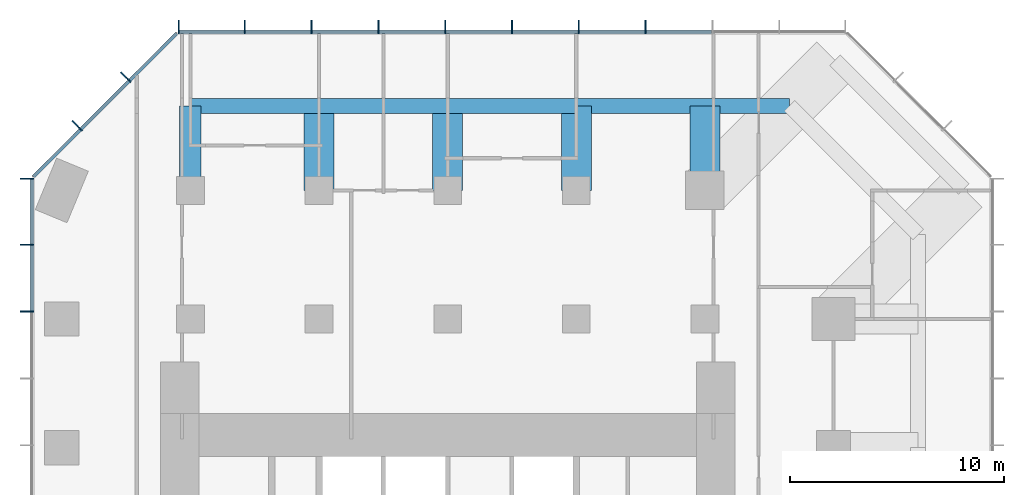
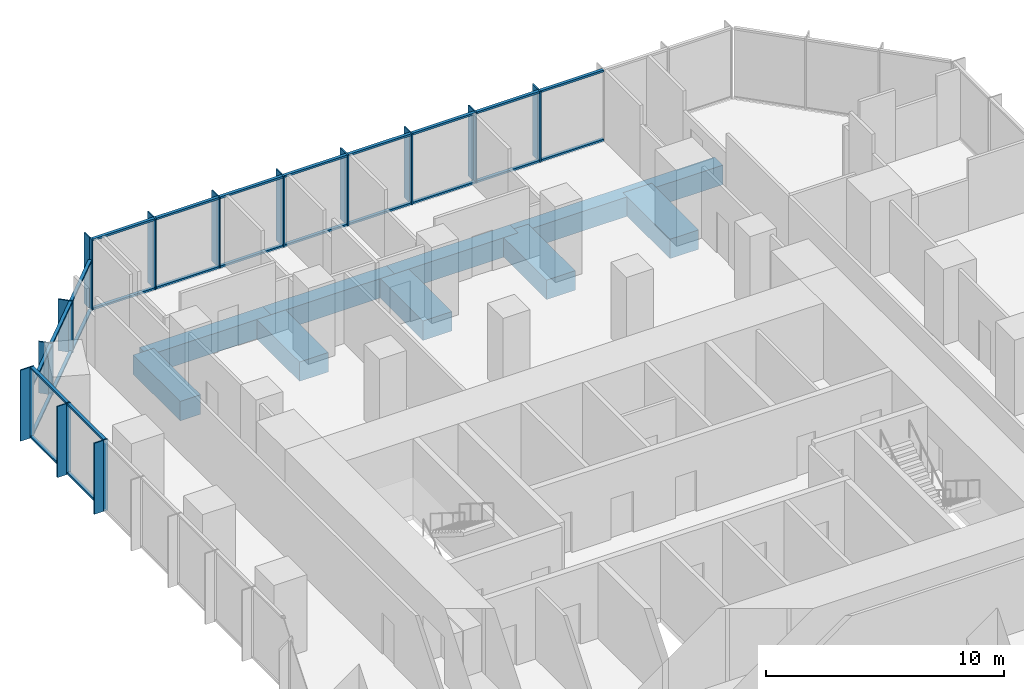
# One storey, part 5 of 11: 52 members, 9 beams, 3 elements without a shape of their own.
"""IFC4 building model written with IfcOpenShell, lengths in metres."""

from ifc_helpers import new_model, si_unit, direction, frame, origin, origin_2d, place, context, subcontext, project, spatial, rectangle, extrude, material, layer, layer_set, material_profile, profile_set, type_object, element, aggregate, save


model = new_model("IFC4")

# Units and contexts
model_context = context("Model", 3, precision=1e-05, world=origin(), true_north=direction((0.0, 1.0)))
body_context = subcontext(model_context, "Body", "Model", "MODEL_VIEW")
ifc_project = project(units=[si_unit("LENGTHUNIT", "METRE"), si_unit("AREAUNIT", "SQUARE_METRE"), si_unit("VOLUMEUNIT", "CUBIC_METRE"), si_unit("PLANEANGLEUNIT", "RADIAN"), si_unit("MASSUNIT", "GRAM", prefix="KILO")], contexts=[model_context])

# Site, building, storey
site_placement = place(None, origin())
site = spatial("IfcSite", under=ifc_project, at=site_placement, CompositionType="ELEMENT")
building_placement = place(site_placement, origin())
building = spatial("IfcBuilding", under=site, at=building_placement, Name="Highveld Stack Headquarters", CompositionType="ELEMENT")
storey_placement = place(building_placement, frame((0.0, 0.0, 185.0)))
storey = spatial("IfcBuildingStorey", under=building, at=storey_placement, Name="L45", CompositionType="ELEMENT", Elevation=185.0)

# Beams
ifc_material_1 = material(Name="Concrete C60/75", Category="concrete")
ifc_material_profile_1 = material_profile(ifc_material_1, rectangle(XDim=1.0, YDim=1.0, at=origin_2d()), Name="RC 1000x1000")
ifc_profile_set_1 = profile_set([ifc_material_profile_1], Name="Concrete C60/75")
beam_type_1 = type_object("IfcBeamType", Name="CANTILEVER RIB RC 1000x1000", PredefinedType="USERDEFINED", material=ifc_profile_set_1)
beam_1_placement = place(storey_placement, frame((-6.0, 24.0, -0.75), z_axis=(0.0, 1.0, 0.0), x_axis=(-1.0, 0.0, 0.0)))
element("IfcBeam", 1, at=beam_1_placement, inside=storey, type_object=beam_type_1, Name="Cantilever rib 5/J L45", ObjectType="CANTILEVER RIB", PredefinedType="USERDEFINED", context=body_context, shape_type="SweptSolid", body=[
    extrude(rectangle(XDim=1.0, YDim=1.0, at=origin_2d()), origin(), (0.0, 0.0, 1.0), 3.949951171875),
])
ifc_material_2 = material(Name="Concrete C60/75", Category="concrete")
ifc_material_profile_2 = material_profile(ifc_material_2, rectangle(XDim=1.39990234375, YDim=1.0, at=origin_2d()), Name="RC 1400x1000")
ifc_profile_set_2 = profile_set([ifc_material_profile_2], Name="Concrete C60/75")
beam_type_2 = type_object("IfcBeamType", Name="CANTILEVER RIB RC 1400x1000", PredefinedType="USERDEFINED", material=ifc_profile_set_2)
for number, where, z_axis, x_axis, name in (
    (2, (0.0, 24.0, -0.75), (0.0, 1.0, 0.0), (-1.0, 0.0, 0.0), "Cantilever rib 6/J L45"),
    (3, (6.0, 24.0, -0.75), (0.0, 1.0, 0.0), (-1.0, 0.0, 0.0), "Cantilever rib 7/J L45"),
    (4, (12.0, 24.0, -0.75), (0.0, 1.0, 0.0), (-1.0, 0.0, 0.0), "Cantilever rib 8/J L45"),
    (5, (18.0, 24.0, -0.75), (0.0, 1.0, 0.0), (-1.0, 0.0, 0.0), "Cantilever rib 9/J L45"),
):
    element("IfcBeam", number, at=place(storey_placement, frame(where, z_axis=z_axis, x_axis=x_axis)), inside=storey, type_object=beam_type_2, Name=name, ObjectType="CANTILEVER RIB", PredefinedType="USERDEFINED", context=body_context, shape_type="SweptSolid", body=[
        extrude(rectangle(XDim=1.39990234375, YDim=1.0, at=origin_2d()), origin(), (0.0, 0.0, 1.0), 3.949951171875),
    ])

# Curtain wall, members
ifc_material_3 = material(Name="Aluminium bronze anodised", Category="aluminium")
ifc_layer_1 = layer(ifc_material_3, 0.199951171875)
ifc_layer_set_1 = layer_set([ifc_layer_1], Name="Aluminium bronze anodised")
curtain_wall_type_1 = type_object("IfcCurtainWallType", Name="CW1 TOWER UNITISED CURTAIN WALL", PredefinedType="NOTDEFINED", material=ifc_layer_set_1)
curtain_wall_1_placement = place(storey_placement, origin())
curtain_wall_1 = element("IfcCurtainWall", 6, at=curtain_wall_1_placement, inside=storey, type_object=curtain_wall_type_1, Name="Curtain wall CW1 L45 N", PredefinedType="NOTDEFINED")
ifc_material_4 = material(Name="Aluminium bronze anodised", Category="aluminium")
ifc_material_profile_3 = material_profile(ifc_material_4, rectangle(XDim=0.449951171875, YDim=0.06005859375, at=origin_2d()), Name="FIN 450x60")
ifc_profile_set_3 = profile_set([ifc_material_profile_3], Name="Aluminium bronze anodised")
member_type_1 = type_object("IfcMemberType", Name="CW1 BRONZE FIN 450x60", PredefinedType="USERDEFINED", material=ifc_profile_set_3)
member_1_placement = place(storey_placement, frame((15.23193359375, 31.72509765625, 0.0), z_axis=(0.0, 0.0, 1.0), x_axis=(0.0, -1.0, 0.0)))
member_1 = element("IfcMember", 7, at=member_1_placement, type_object=member_type_1, Name="CW1 fin L45 4", ObjectType="FIN", PredefinedType="USERDEFINED", context=body_context, shape_type="SweptSolid", body=[
    extrude(rectangle(XDim=0.449951171875, YDim=0.06005859375, at=origin_2d()), origin(), (0.0, 0.0, 1.0), 3.64990234375),
])
member_2_placement = place(storey_placement, frame((12.115966796875, 31.72509765625, 0.0), z_axis=(0.0, 0.0, 1.0), x_axis=(0.0, -1.0, 0.0)))
member_2 = element("IfcMember", 8, at=member_2_placement, type_object=member_type_1, Name="CW1 fin L45 5", ObjectType="FIN", PredefinedType="USERDEFINED", context=body_context, shape_type="SweptSolid", body=[
    extrude(rectangle(XDim=0.449951171875, YDim=0.06005859375, at=origin_2d()), origin(), (0.0, 0.0, 1.0), 3.64990234375),
])
member_3_placement = place(storey_placement, frame((9.0, 31.72509765625, 0.0), z_axis=(0.0, 0.0, 1.0), x_axis=(0.0, -1.0, 0.0)))
member_3 = element("IfcMember", 9, at=member_3_placement, type_object=member_type_1, Name="CW1 fin L45 6", ObjectType="FIN", PredefinedType="USERDEFINED", context=body_context, shape_type="SweptSolid", body=[
    extrude(rectangle(XDim=0.449951171875, YDim=0.06005859375, at=origin_2d()), origin(), (0.0, 0.0, 1.0), 3.64990234375),
])
member_4_placement = place(storey_placement, frame((5.884033203125, 31.72509765625, 0.0), z_axis=(0.0, 0.0, 1.0), x_axis=(0.0, -1.0, 0.0)))
member_4 = element("IfcMember", 10, at=member_4_placement, type_object=member_type_1, Name="CW1 fin L45 7", ObjectType="FIN", PredefinedType="USERDEFINED", context=body_context, shape_type="SweptSolid", body=[
    extrude(rectangle(XDim=0.449951171875, YDim=0.06005859375, at=origin_2d()), origin(), (0.0, 0.0, 1.0), 3.64990234375),
])
member_5_placement = place(storey_placement, frame((2.76806640625, 31.72509765625, 0.0), z_axis=(0.0, 0.0, 1.0), x_axis=(0.0, -1.0, 0.0)))
member_5 = element("IfcMember", 11, at=member_5_placement, type_object=member_type_1, Name="CW1 fin L45 8", ObjectType="FIN", PredefinedType="USERDEFINED", context=body_context, shape_type="SweptSolid", body=[
    extrude(rectangle(XDim=0.449951171875, YDim=0.06005859375, at=origin_2d()), origin(), (0.0, 0.0, 1.0), 3.64990234375),
])
member_6_placement = place(storey_placement, frame((-0.347900390625, 31.72509765625, 0.0), z_axis=(0.0, 0.0, 1.0), x_axis=(0.0, -1.0, 0.0)))
member_6 = element("IfcMember", 12, at=member_6_placement, type_object=member_type_1, Name="CW1 fin L45 9", ObjectType="FIN", PredefinedType="USERDEFINED", context=body_context, shape_type="SweptSolid", body=[
    extrude(rectangle(XDim=0.449951171875, YDim=0.06005859375, at=origin_2d()), origin(), (0.0, 0.0, 1.0), 3.64990234375),
])
member_7_placement = place(storey_placement, frame((-3.4638671875, 31.72509765625, 0.0), z_axis=(0.0, 0.0, 1.0), x_axis=(0.0, -1.0, 0.0)))
member_7 = element("IfcMember", 13, at=member_7_placement, type_object=member_type_1, Name="CW1 fin L45 10", ObjectType="FIN", PredefinedType="USERDEFINED", context=body_context, shape_type="SweptSolid", body=[
    extrude(rectangle(XDim=0.449951171875, YDim=0.06005859375, at=origin_2d()), origin(), (0.0, 0.0, 1.0), 3.64990234375),
])
member_8_placement = place(storey_placement, frame((-6.54736328125, 31.72509765625, 0.0), z_axis=(0.0, 0.0, 1.0), x_axis=(0.0, -1.0, 0.0)))
member_8 = element("IfcMember", 14, at=member_8_placement, type_object=member_type_1, Name="CW1 fin L45 11", ObjectType="FIN", PredefinedType="USERDEFINED", context=body_context, shape_type="SweptSolid", body=[
    extrude(rectangle(XDim=0.449951171875, YDim=0.06005859375, at=origin_2d()), origin(), (0.0, 0.0, 1.0), 3.64990234375),
])

curtain_wall_2_placement = place(storey_placement, origin())
curtain_wall_2 = element("IfcCurtainWall", 15, at=curtain_wall_2_placement, inside=storey, type_object=curtain_wall_type_1, Name="Curtain wall CW1 L45 W", PredefinedType="NOTDEFINED")
member_9_placement = place(storey_placement, frame((-13.72509765625, 24.54736328125, 0.0), z_axis=(0.0, 0.0, 1.0), x_axis=(1.0, 0.0, 0.0)))
member_9 = element("IfcMember", 16, at=member_9_placement, type_object=member_type_1, Name="CW1 fin L45 1", ObjectType="FIN", PredefinedType="USERDEFINED", context=body_context, shape_type="SweptSolid", body=[
    extrude(rectangle(XDim=0.449951171875, YDim=0.06005859375, at=origin_2d()), origin(), (0.0, 0.0, 1.0), 3.64990234375),
])
member_10_placement = place(storey_placement, frame((-13.72509765625, 21.4638671875, 0.0), z_axis=(0.0, 0.0, 1.0), x_axis=(1.0, 0.0, 0.0)))
member_10 = element("IfcMember", 17, at=member_10_placement, type_object=member_type_1, Name="CW1 fin L45 2", ObjectType="FIN", PredefinedType="USERDEFINED", context=body_context, shape_type="SweptSolid", body=[
    extrude(rectangle(XDim=0.449951171875, YDim=0.06005859375, at=origin_2d()), origin(), (0.0, 0.0, 1.0), 3.64990234375),
])
member_11_placement = place(storey_placement, frame((-13.72509765625, 18.347900390625, 0.0), z_axis=(0.0, 0.0, 1.0), x_axis=(1.0, 0.0, 0.0)))
member_11 = element("IfcMember", 18, at=member_11_placement, type_object=member_type_1, Name="CW1 fin L45 3", ObjectType="FIN", PredefinedType="USERDEFINED", context=body_context, shape_type="SweptSolid", body=[
    extrude(rectangle(XDim=0.449951171875, YDim=0.06005859375, at=origin_2d()), origin(), (0.0, 0.0, 1.0), 3.64990234375),
])

# Member
ifc_material_5 = material(Name="Aluminium bronze anodised", Category="aluminium")
ifc_material_profile_4 = material_profile(ifc_material_5, rectangle(XDim=0.199951171875, YDim=0.06494140625, at=origin_2d()), Name="CW1 MULLION 65x200")
ifc_profile_set_4 = profile_set([ifc_material_profile_4], Name="Aluminium bronze anodised")
member_type_2 = type_object("IfcMemberType", Name="CW1 MULLION 65x200", PredefinedType="MULLION", material=ifc_profile_set_4)
member_12_placement = place(storey_placement, frame((15.23193359375, 31.39990234375, 0.0), z_axis=(0.0, 0.0, 1.0), x_axis=(0.0, -1.0, 0.0)))
member_12 = element("IfcMember", 19, at=member_12_placement, type_object=member_type_2, Name="CW1 mullion L45 4", PredefinedType="MULLION", context=body_context, shape_type="SweptSolid", body=[
    extrude(rectangle(XDim=0.199951171875, YDim=0.06494140625, at=origin_2d()), origin(), (0.0, 0.0, 1.0), 3.64990234375),
])

member_13_placement = place(storey_placement, frame((12.115966796875, 31.39990234375, 0.0), z_axis=(0.0, 0.0, 1.0), x_axis=(0.0, -1.0, 0.0)))
member_13 = element("IfcMember", 20, at=member_13_placement, type_object=member_type_2, Name="CW1 mullion L45 5", PredefinedType="MULLION", context=body_context, shape_type="SweptSolid", body=[
    extrude(rectangle(XDim=0.199951171875, YDim=0.06494140625, at=origin_2d()), origin(), (0.0, 0.0, 1.0), 3.64990234375),
])

member_14_placement = place(storey_placement, frame((9.0, 31.39990234375, 0.0), z_axis=(0.0, 0.0, 1.0), x_axis=(0.0, -1.0, 0.0)))
member_14 = element("IfcMember", 21, at=member_14_placement, type_object=member_type_2, Name="CW1 mullion L45 6", PredefinedType="MULLION", context=body_context, shape_type="SweptSolid", body=[
    extrude(rectangle(XDim=0.199951171875, YDim=0.06494140625, at=origin_2d()), origin(), (0.0, 0.0, 1.0), 3.64990234375),
])

member_15_placement = place(storey_placement, frame((5.884033203125, 31.39990234375, 0.0), z_axis=(0.0, 0.0, 1.0), x_axis=(0.0, -1.0, 0.0)))
member_15 = element("IfcMember", 22, at=member_15_placement, type_object=member_type_2, Name="CW1 mullion L45 7", PredefinedType="MULLION", context=body_context, shape_type="SweptSolid", body=[
    extrude(rectangle(XDim=0.199951171875, YDim=0.06494140625, at=origin_2d()), origin(), (0.0, 0.0, 1.0), 3.64990234375),
])

member_16_placement = place(storey_placement, frame((2.76806640625, 31.39990234375, 0.0), z_axis=(0.0, 0.0, 1.0), x_axis=(0.0, -1.0, 0.0)))
member_16 = element("IfcMember", 23, at=member_16_placement, type_object=member_type_2, Name="CW1 mullion L45 8", PredefinedType="MULLION", context=body_context, shape_type="SweptSolid", body=[
    extrude(rectangle(XDim=0.199951171875, YDim=0.06494140625, at=origin_2d()), origin(), (0.0, 0.0, 1.0), 3.64990234375),
])

member_17_placement = place(storey_placement, frame((-0.347900390625, 31.39990234375, 0.0), z_axis=(0.0, 0.0, 1.0), x_axis=(0.0, -1.0, 0.0)))
member_17 = element("IfcMember", 24, at=member_17_placement, type_object=member_type_2, Name="CW1 mullion L45 9", PredefinedType="MULLION", context=body_context, shape_type="SweptSolid", body=[
    extrude(rectangle(XDim=0.199951171875, YDim=0.06494140625, at=origin_2d()), origin(), (0.0, 0.0, 1.0), 3.64990234375),
])

member_18_placement = place(storey_placement, frame((-3.4638671875, 31.39990234375, 0.0), z_axis=(0.0, 0.0, 1.0), x_axis=(0.0, -1.0, 0.0)))
member_18 = element("IfcMember", 25, at=member_18_placement, type_object=member_type_2, Name="CW1 mullion L45 10", PredefinedType="MULLION", context=body_context, shape_type="SweptSolid", body=[
    extrude(rectangle(XDim=0.199951171875, YDim=0.06494140625, at=origin_2d()), origin(), (0.0, 0.0, 1.0), 3.64990234375),
])

member_19_placement = place(storey_placement, frame((-6.54736328125, 31.39990234375, 0.0), z_axis=(0.0, 0.0, 1.0), x_axis=(0.0, -1.0, 0.0)))
member_19 = element("IfcMember", 26, at=member_19_placement, type_object=member_type_2, Name="CW1 mullion L45 11", PredefinedType="MULLION", context=body_context, shape_type="SweptSolid", body=[
    extrude(rectangle(XDim=0.199951171875, YDim=0.06494140625, at=origin_2d()), origin(), (0.0, 0.0, 1.0), 3.64990234375),
])

member_20_placement = place(storey_placement, frame((-13.39990234375, 24.54736328125, 0.0), z_axis=(0.0, 0.0, 1.0), x_axis=(1.0, 0.0, 0.0)))
member_20 = element("IfcMember", 27, at=member_20_placement, type_object=member_type_2, Name="CW1 mullion L45 1", PredefinedType="MULLION", context=body_context, shape_type="SweptSolid", body=[
    extrude(rectangle(XDim=0.199951171875, YDim=0.06494140625, at=origin_2d()), origin(), (0.0, 0.0, 1.0), 3.64990234375),
])

member_21_placement = place(storey_placement, frame((-13.39990234375, 21.4638671875, 0.0), z_axis=(0.0, 0.0, 1.0), x_axis=(1.0, 0.0, 0.0)))
member_21 = element("IfcMember", 28, at=member_21_placement, type_object=member_type_2, Name="CW1 mullion L45 2", PredefinedType="MULLION", context=body_context, shape_type="SweptSolid", body=[
    extrude(rectangle(XDim=0.199951171875, YDim=0.06494140625, at=origin_2d()), origin(), (0.0, 0.0, 1.0), 3.64990234375),
])

member_22_placement = place(storey_placement, frame((-13.39990234375, 18.347900390625, 0.0), z_axis=(0.0, 0.0, 1.0), x_axis=(1.0, 0.0, 0.0)))
member_22 = element("IfcMember", 29, at=member_22_placement, type_object=member_type_2, Name="CW1 mullion L45 3", PredefinedType="MULLION", context=body_context, shape_type="SweptSolid", body=[
    extrude(rectangle(XDim=0.199951171875, YDim=0.06494140625, at=origin_2d()), origin(), (0.0, 0.0, 1.0), 3.64990234375),
])

ifc_material_6 = material(Name="Aluminium bronze anodised", Category="aluminium")
ifc_material_profile_5 = material_profile(ifc_material_6, rectangle(XDim=0.14990234375, YDim=0.10009765625, at=origin_2d()), Name="CW1 TRANSOM 150x100")
ifc_profile_set_5 = profile_set([ifc_material_profile_5], Name="Aluminium bronze anodised")
member_type_3 = type_object("IfcMemberType", Name="CW1 STACK TRANSOM 150x100", PredefinedType="USERDEFINED", material=ifc_profile_set_5)
member_23_placement = place(storey_placement, frame((18.3154296875, 31.39990234375, 0.050048828125), z_axis=(-1.0, 0.0, 0.0), x_axis=(0.0, -1.0, 0.0)))
member_23 = element("IfcMember", 30, at=member_23_placement, type_object=member_type_3, Name="CW1 transom L45 3.1", ObjectType="TRANSOM", PredefinedType="USERDEFINED", context=body_context, shape_type="SweptSolid", body=[
    extrude(rectangle(XDim=0.14990234375, YDim=0.10009765625, at=origin_2d()), origin(), (0.0, 0.0, 1.0), 3.051025390625),
])

member_24_placement = place(storey_placement, frame((18.3154296875, 31.39990234375, 3.60009765625), z_axis=(-1.0, 0.0, 0.0), x_axis=(0.0, -1.0, 0.0)))
member_24 = element("IfcMember", 31, at=member_24_placement, type_object=member_type_3, Name="CW1 transom L45 3.2", ObjectType="TRANSOM", PredefinedType="USERDEFINED", context=body_context, shape_type="SweptSolid", body=[
    extrude(rectangle(XDim=0.14990234375, YDim=0.10009765625, at=origin_2d()), origin(), (0.0, 0.0, 1.0), 3.051025390625),
])

member_25_placement = place(storey_placement, frame((15.199462890625, 31.39990234375, 0.050048828125), z_axis=(-1.0, 0.0, 0.0), x_axis=(0.0, -1.0, 0.0)))
member_25 = element("IfcMember", 32, at=member_25_placement, type_object=member_type_3, Name="CW1 transom L45 4.1", ObjectType="TRANSOM", PredefinedType="USERDEFINED", context=body_context, shape_type="SweptSolid", body=[
    extrude(rectangle(XDim=0.14990234375, YDim=0.10009765625, at=origin_2d()), origin(), (0.0, 0.0, 1.0), 3.051025390625),
])

member_26_placement = place(storey_placement, frame((15.199462890625, 31.39990234375, 3.60009765625), z_axis=(-1.0, 0.0, 0.0), x_axis=(0.0, -1.0, 0.0)))
member_26 = element("IfcMember", 33, at=member_26_placement, type_object=member_type_3, Name="CW1 transom L45 4.2", ObjectType="TRANSOM", PredefinedType="USERDEFINED", context=body_context, shape_type="SweptSolid", body=[
    extrude(rectangle(XDim=0.14990234375, YDim=0.10009765625, at=origin_2d()), origin(), (0.0, 0.0, 1.0), 3.051025390625),
])

member_27_placement = place(storey_placement, frame((12.08349609375, 31.39990234375, 0.050048828125), z_axis=(-1.0, 0.0, 0.0), x_axis=(0.0, -1.0, 0.0)))
member_27 = element("IfcMember", 34, at=member_27_placement, type_object=member_type_3, Name="CW1 transom L45 5.1", ObjectType="TRANSOM", PredefinedType="USERDEFINED", context=body_context, shape_type="SweptSolid", body=[
    extrude(rectangle(XDim=0.14990234375, YDim=0.10009765625, at=origin_2d()), origin(), (0.0, 0.0, 1.0), 3.051025390625),
])

member_28_placement = place(storey_placement, frame((12.08349609375, 31.39990234375, 3.60009765625), z_axis=(-1.0, 0.0, 0.0), x_axis=(0.0, -1.0, 0.0)))
member_28 = element("IfcMember", 35, at=member_28_placement, type_object=member_type_3, Name="CW1 transom L45 5.2", ObjectType="TRANSOM", PredefinedType="USERDEFINED", context=body_context, shape_type="SweptSolid", body=[
    extrude(rectangle(XDim=0.14990234375, YDim=0.10009765625, at=origin_2d()), origin(), (0.0, 0.0, 1.0), 3.051025390625),
])

member_29_placement = place(storey_placement, frame((8.967529296875, 31.39990234375, 0.050048828125), z_axis=(-1.0, 0.0, 0.0), x_axis=(0.0, -1.0, 0.0)))
member_29 = element("IfcMember", 36, at=member_29_placement, type_object=member_type_3, Name="CW1 transom L45 6.1", ObjectType="TRANSOM", PredefinedType="USERDEFINED", context=body_context, shape_type="SweptSolid", body=[
    extrude(rectangle(XDim=0.14990234375, YDim=0.10009765625, at=origin_2d()), origin(), (0.0, 0.0, 1.0), 3.051025390625),
])

member_30_placement = place(storey_placement, frame((8.967529296875, 31.39990234375, 3.60009765625), z_axis=(-1.0, 0.0, 0.0), x_axis=(0.0, -1.0, 0.0)))
member_30 = element("IfcMember", 37, at=member_30_placement, type_object=member_type_3, Name="CW1 transom L45 6.2", ObjectType="TRANSOM", PredefinedType="USERDEFINED", context=body_context, shape_type="SweptSolid", body=[
    extrude(rectangle(XDim=0.14990234375, YDim=0.10009765625, at=origin_2d()), origin(), (0.0, 0.0, 1.0), 3.051025390625),
])

member_31_placement = place(storey_placement, frame((5.8515625, 31.39990234375, 0.050048828125), z_axis=(-1.0, 0.0, 0.0), x_axis=(0.0, -1.0, 0.0)))
member_31 = element("IfcMember", 38, at=member_31_placement, type_object=member_type_3, Name="CW1 transom L45 7.1", ObjectType="TRANSOM", PredefinedType="USERDEFINED", context=body_context, shape_type="SweptSolid", body=[
    extrude(rectangle(XDim=0.14990234375, YDim=0.10009765625, at=origin_2d()), origin(), (0.0, 0.0, 1.0), 3.051025390625),
])

member_32_placement = place(storey_placement, frame((5.8515625, 31.39990234375, 3.60009765625), z_axis=(-1.0, 0.0, 0.0), x_axis=(0.0, -1.0, 0.0)))
member_32 = element("IfcMember", 39, at=member_32_placement, type_object=member_type_3, Name="CW1 transom L45 7.2", ObjectType="TRANSOM", PredefinedType="USERDEFINED", context=body_context, shape_type="SweptSolid", body=[
    extrude(rectangle(XDim=0.14990234375, YDim=0.10009765625, at=origin_2d()), origin(), (0.0, 0.0, 1.0), 3.051025390625),
])

member_33_placement = place(storey_placement, frame((2.735595703125, 31.39990234375, 0.050048828125), z_axis=(-1.0, 0.0, 0.0), x_axis=(0.0, -1.0, 0.0)))
member_33 = element("IfcMember", 40, at=member_33_placement, type_object=member_type_3, Name="CW1 transom L45 8.1", ObjectType="TRANSOM", PredefinedType="USERDEFINED", context=body_context, shape_type="SweptSolid", body=[
    extrude(rectangle(XDim=0.14990234375, YDim=0.10009765625, at=origin_2d()), origin(), (0.0, 0.0, 1.0), 3.051025390625),
])

member_34_placement = place(storey_placement, frame((2.735595703125, 31.39990234375, 3.60009765625), z_axis=(-1.0, 0.0, 0.0), x_axis=(0.0, -1.0, 0.0)))
member_34 = element("IfcMember", 41, at=member_34_placement, type_object=member_type_3, Name="CW1 transom L45 8.2", ObjectType="TRANSOM", PredefinedType="USERDEFINED", context=body_context, shape_type="SweptSolid", body=[
    extrude(rectangle(XDim=0.14990234375, YDim=0.10009765625, at=origin_2d()), origin(), (0.0, 0.0, 1.0), 3.051025390625),
])

member_35_placement = place(storey_placement, frame((-0.38037109375, 31.39990234375, 0.050048828125), z_axis=(-1.0, 0.0, 0.0), x_axis=(0.0, -1.0, 0.0)))
member_35 = element("IfcMember", 42, at=member_35_placement, type_object=member_type_3, Name="CW1 transom L45 9.1", ObjectType="TRANSOM", PredefinedType="USERDEFINED", context=body_context, shape_type="SweptSolid", body=[
    extrude(rectangle(XDim=0.14990234375, YDim=0.10009765625, at=origin_2d()), origin(), (0.0, 0.0, 1.0), 3.051025390625),
])

member_36_placement = place(storey_placement, frame((-0.38037109375, 31.39990234375, 3.60009765625), z_axis=(-1.0, 0.0, 0.0), x_axis=(0.0, -1.0, 0.0)))
member_36 = element("IfcMember", 43, at=member_36_placement, type_object=member_type_3, Name="CW1 transom L45 9.2", ObjectType="TRANSOM", PredefinedType="USERDEFINED", context=body_context, shape_type="SweptSolid", body=[
    extrude(rectangle(XDim=0.14990234375, YDim=0.10009765625, at=origin_2d()), origin(), (0.0, 0.0, 1.0), 3.051025390625),
])

member_37_placement = place(storey_placement, frame((-3.496337890625, 31.39990234375, 0.050048828125), z_axis=(-1.0, 0.0, 0.0), x_axis=(0.0, -1.0, 0.0)))
member_37 = element("IfcMember", 44, at=member_37_placement, type_object=member_type_3, Name="CW1 transom L45 10.1", ObjectType="TRANSOM", PredefinedType="USERDEFINED", context=body_context, shape_type="SweptSolid", body=[
    extrude(rectangle(XDim=0.14990234375, YDim=0.10009765625, at=origin_2d()), origin(), (0.0, 0.0, 1.0), 3.0185546875),
])

member_38_placement = place(storey_placement, frame((-3.496337890625, 31.39990234375, 3.60009765625), z_axis=(-1.0, 0.0, 0.0), x_axis=(0.0, -1.0, 0.0)))
member_38 = element("IfcMember", 45, at=member_38_placement, type_object=member_type_3, Name="CW1 transom L45 10.2", ObjectType="TRANSOM", PredefinedType="USERDEFINED", context=body_context, shape_type="SweptSolid", body=[
    extrude(rectangle(XDim=0.14990234375, YDim=0.10009765625, at=origin_2d()), origin(), (0.0, 0.0, 1.0), 3.0185546875),
])

aggregate(curtain_wall_1, [member_12, member_1, member_13, member_2, member_14, member_3, member_15, member_4, member_16, member_5, member_17, member_6, member_18, member_7, member_19, member_8, member_23, member_24, member_25, member_26, member_27, member_28, member_29, member_30, member_31, member_32, member_33, member_34, member_35, member_36, member_37, member_38])

member_39_placement = place(storey_placement, frame((-13.39990234375, 24.514892578125, 0.050048828125), z_axis=(0.0, -1.0, 0.0), x_axis=(1.0, 0.0, 0.0)))
member_39 = element("IfcMember", 46, at=member_39_placement, type_object=member_type_3, Name="CW1 transom L45 1.1", ObjectType="TRANSOM", PredefinedType="USERDEFINED", context=body_context, shape_type="SweptSolid", body=[
    extrude(rectangle(XDim=0.14990234375, YDim=0.10009765625, at=origin_2d()), origin(), (0.0, 0.0, 1.0), 3.0185546875),
])

member_40_placement = place(storey_placement, frame((-13.39990234375, 24.514892578125, 3.60009765625), z_axis=(0.0, -1.0, 0.0), x_axis=(1.0, 0.0, 0.0)))
member_40 = element("IfcMember", 47, at=member_40_placement, type_object=member_type_3, Name="CW1 transom L45 1.2", ObjectType="TRANSOM", PredefinedType="USERDEFINED", context=body_context, shape_type="SweptSolid", body=[
    extrude(rectangle(XDim=0.14990234375, YDim=0.10009765625, at=origin_2d()), origin(), (0.0, 0.0, 1.0), 3.0185546875),
])

member_41_placement = place(storey_placement, frame((-13.39990234375, 21.431396484375, 0.050048828125), z_axis=(0.0, -1.0, 0.0), x_axis=(1.0, 0.0, 0.0)))
member_41 = element("IfcMember", 48, at=member_41_placement, type_object=member_type_3, Name="CW1 transom L45 2.1", ObjectType="TRANSOM", PredefinedType="USERDEFINED", context=body_context, shape_type="SweptSolid", body=[
    extrude(rectangle(XDim=0.14990234375, YDim=0.10009765625, at=origin_2d()), origin(), (0.0, 0.0, 1.0), 3.051025390625),
])

member_42_placement = place(storey_placement, frame((-13.39990234375, 21.431396484375, 3.60009765625), z_axis=(0.0, -1.0, 0.0), x_axis=(1.0, 0.0, 0.0)))
member_42 = element("IfcMember", 49, at=member_42_placement, type_object=member_type_3, Name="CW1 transom L45 2.2", ObjectType="TRANSOM", PredefinedType="USERDEFINED", context=body_context, shape_type="SweptSolid", body=[
    extrude(rectangle(XDim=0.14990234375, YDim=0.10009765625, at=origin_2d()), origin(), (0.0, 0.0, 1.0), 3.051025390625),
])

aggregate(curtain_wall_2, [member_20, member_9, member_21, member_10, member_22, member_11, member_39, member_40, member_41, member_42])

# Curtain wall, members
ifc_material_7 = material(Name="Aluminium bronze anodised", Category="aluminium")
ifc_layer_2 = layer(ifc_material_7, 0.199951171875)
ifc_layer_set_2 = layer_set([ifc_layer_2], Name="Aluminium bronze anodised")
curtain_wall_type_2 = type_object("IfcCurtainWallType", Name="CW2 TOWER CHAMFER UNITISED CURTAIN WALL", PredefinedType="NOTDEFINED", material=ifc_layer_set_2)
curtain_wall_3_placement = place(storey_placement, origin())
curtain_wall_3 = element("IfcCurtainWall", 50, at=curtain_wall_3_placement, inside=storey, type_object=curtain_wall_type_2, Name="Curtain wall CW2 L45 NW", PredefinedType="NOTDEFINED")
ifc_material_8 = material(Name="Aluminium bronze anodised", Category="aluminium")
ifc_material_profile_6 = material_profile(ifc_material_8, rectangle(XDim=0.449951171875, YDim=0.06005859375, at=origin_2d()), Name="FIN 450x60")
ifc_profile_set_6 = profile_set([ifc_material_profile_6], Name="Aluminium bronze anodised")
member_type_4 = type_object("IfcMemberType", Name="CW2 BRONZE FIN 450x60", PredefinedType="USERDEFINED", material=ifc_profile_set_6)
member_43_placement = place(storey_placement, frame((-9.0830078125, 29.3564453125, 0.0), z_axis=(0.0, 0.0, 1.0), x_axis=(0.707106781187, -0.707106781187, 0.0)))
member_43 = element("IfcMember", 51, at=member_43_placement, type_object=member_type_4, Name="CW2 fin L45 1", ObjectType="FIN", PredefinedType="USERDEFINED", context=body_context, shape_type="SweptSolid", body=[
    extrude(rectangle(XDim=0.449951171875, YDim=0.06005859375, at=origin_2d()), origin(), (0.0, 0.0, 1.0), 2.64990234375),
])
member_44_placement = place(storey_placement, frame((-11.3564453125, 27.0830078125, 0.0), z_axis=(0.0, 0.0, 1.0), x_axis=(0.707106781187, -0.707106781187, 0.0)))
member_44 = element("IfcMember", 52, at=member_44_placement, type_object=member_type_4, Name="CW2 fin L45 2", ObjectType="FIN", PredefinedType="USERDEFINED", context=body_context, shape_type="SweptSolid", body=[
    extrude(rectangle(XDim=0.449951171875, YDim=0.06005859375, at=origin_2d()), origin(), (0.0, 0.0, 1.0), 2.64990234375),
])
ifc_material_9 = material(Name="Aluminium bronze anodised", Category="aluminium")
ifc_material_profile_7 = material_profile(ifc_material_9, rectangle(XDim=0.199951171875, YDim=0.06494140625, at=origin_2d()), Name="CW2 MULLION 65x200")
ifc_profile_set_7 = profile_set([ifc_material_profile_7], Name="Aluminium bronze anodised")
member_type_5 = type_object("IfcMemberType", Name="CW2 MULLION 65x200", PredefinedType="MULLION", material=ifc_profile_set_7)
member_45_placement = place(storey_placement, frame((-8.853271484375, 29.126708984375, 0.0), z_axis=(0.0, 0.0, 1.0), x_axis=(0.707106781187, -0.707106781187, 0.0)))
member_45 = element("IfcMember", 53, at=member_45_placement, type_object=member_type_5, Name="CW2 mullion L45 1", PredefinedType="MULLION", context=body_context, shape_type="SweptSolid", body=[
    extrude(rectangle(XDim=0.199951171875, YDim=0.06494140625, at=origin_2d()), origin(), (0.0, 0.0, 1.0), 2.64990234375),
])
member_46_placement = place(storey_placement, frame((-11.126708984375, 26.853271484375, 0.0), z_axis=(0.0, 0.0, 1.0), x_axis=(0.707106781187, -0.707106781187, 0.0)))
member_46 = element("IfcMember", 54, at=member_46_placement, type_object=member_type_5, Name="CW2 mullion L45 2", PredefinedType="MULLION", context=body_context, shape_type="SweptSolid", body=[
    extrude(rectangle(XDim=0.199951171875, YDim=0.06494140625, at=origin_2d()), origin(), (0.0, 0.0, 1.0), 2.64990234375),
])
ifc_material_10 = material(Name="Aluminium bronze anodised", Category="aluminium")
ifc_material_profile_8 = material_profile(ifc_material_10, rectangle(XDim=0.14990234375, YDim=0.10009765625, at=origin_2d()), Name="CW2 TRANSOM 150x100")
ifc_profile_set_8 = profile_set([ifc_material_profile_8], Name="Aluminium bronze anodised")
member_type_6 = type_object("IfcMemberType", Name="CW2 STACK TRANSOM 150x100", PredefinedType="USERDEFINED", material=ifc_profile_set_8)
member_47_placement = place(storey_placement, frame((-6.650634765625, 31.329345703125, 0.050048828125), z_axis=(-0.707106781187, -0.707106781187, 0.0), x_axis=(0.707106781187, -0.707106781187, 0.0)))
member_47 = element("IfcMember", 55, at=member_47_placement, type_object=member_type_6, Name="CW2 transom L45 1.1", ObjectType="TRANSOM", PredefinedType="USERDEFINED", context=body_context, shape_type="SweptSolid", body=[
    extrude(rectangle(XDim=0.14990234375, YDim=0.10009765625, at=origin_2d()), origin(), (0.0, 0.0, 1.0), 3.08251953125),
])
member_48_placement = place(storey_placement, frame((-6.650634765625, 31.329345703125, 2.60009765625), z_axis=(-0.707106781187, -0.707106781187, 0.0), x_axis=(0.707106781187, -0.707106781187, 0.0)))
member_48 = element("IfcMember", 56, at=member_48_placement, type_object=member_type_6, Name="CW2 transom L45 1.2", ObjectType="TRANSOM", PredefinedType="USERDEFINED", context=body_context, shape_type="SweptSolid", body=[
    extrude(rectangle(XDim=0.14990234375, YDim=0.10009765625, at=origin_2d()), origin(), (0.0, 0.0, 1.0), 3.08251953125),
])
member_49_placement = place(storey_placement, frame((-8.876220703125, 29.103759765625, 0.050048828125), z_axis=(-0.707106781187, -0.707106781187, 0.0), x_axis=(0.707106781187, -0.707106781187, 0.0)))
member_49 = element("IfcMember", 57, at=member_49_placement, type_object=member_type_6, Name="CW2 transom L45 2.1", ObjectType="TRANSOM", PredefinedType="USERDEFINED", context=body_context, shape_type="SweptSolid", body=[
    extrude(rectangle(XDim=0.14990234375, YDim=0.10009765625, at=origin_2d()), origin(), (0.0, 0.0, 1.0), 3.150146484375),
])
member_50_placement = place(storey_placement, frame((-8.876220703125, 29.103759765625, 2.60009765625), z_axis=(-0.707106781187, -0.707106781187, 0.0), x_axis=(0.707106781187, -0.707106781187, 0.0)))
member_50 = element("IfcMember", 58, at=member_50_placement, type_object=member_type_6, Name="CW2 transom L45 2.2", ObjectType="TRANSOM", PredefinedType="USERDEFINED", context=body_context, shape_type="SweptSolid", body=[
    extrude(rectangle(XDim=0.14990234375, YDim=0.10009765625, at=origin_2d()), origin(), (0.0, 0.0, 1.0), 3.150146484375),
])
member_51_placement = place(storey_placement, frame((-11.149658203125, 26.830322265625, 0.050048828125), z_axis=(-0.707106781187, -0.707106781187, 0.0), x_axis=(0.707106781187, -0.707106781187, 0.0)))
member_51 = element("IfcMember", 59, at=member_51_placement, type_object=member_type_6, Name="CW2 transom L45 3.1", ObjectType="TRANSOM", PredefinedType="USERDEFINED", context=body_context, shape_type="SweptSolid", body=[
    extrude(rectangle(XDim=0.14990234375, YDim=0.10009765625, at=origin_2d()), origin(), (0.0, 0.0, 1.0), 3.08251953125),
])
member_52_placement = place(storey_placement, frame((-11.149658203125, 26.830322265625, 2.60009765625), z_axis=(-0.707106781187, -0.707106781187, 0.0), x_axis=(0.707106781187, -0.707106781187, 0.0)))
member_52 = element("IfcMember", 60, at=member_52_placement, type_object=member_type_6, Name="CW2 transom L45 3.2", ObjectType="TRANSOM", PredefinedType="USERDEFINED", context=body_context, shape_type="SweptSolid", body=[
    extrude(rectangle(XDim=0.14990234375, YDim=0.10009765625, at=origin_2d()), origin(), (0.0, 0.0, 1.0), 3.08251953125),
])
aggregate(curtain_wall_3, [member_45, member_43, member_46, member_44, member_47, member_48, member_49, member_50, member_51, member_52])

# Beams
ifc_material_11 = material(Name="Concrete C60/75", Category="concrete")
ifc_material_profile_9 = material_profile(ifc_material_11, rectangle(XDim=0.699951171875, YDim=1.0, at=origin_2d()), Name="RC 700x1000")
ifc_profile_set_9 = profile_set([ifc_material_profile_9], Name="Concrete C60/75")
beam_type_3 = type_object("IfcBeamType", Name="RIB TIP BEAM RC 700x1000", PredefinedType="SPANDREL", material=ifc_profile_set_9)
for number, where, z_axis, x_axis, name in (
    (61, (-6.0, 27.949951171875, -0.75), (1.0, 0.0, 0.0), (0.0, 1.0, 0.0), "Rib tip beam 5/J to 6/J L45"),
    (62, (0.0, 27.949951171875, -0.75), (1.0, 0.0, 0.0), (0.0, 1.0, 0.0), "Rib tip beam 6/J to 7/J L45"),
    (63, (6.0, 27.949951171875, -0.75), (1.0, 0.0, 0.0), (0.0, 1.0, 0.0), "Rib tip beam 7/J to 8/J L45"),
):
    element("IfcBeam", number, at=place(storey_placement, frame(where, z_axis=z_axis, x_axis=x_axis)), inside=storey, type_object=beam_type_3, Name=name, PredefinedType="SPANDREL", context=body_context, shape_type="SweptSolid", body=[
        extrude(rectangle(XDim=0.699951171875, YDim=1.0, at=origin_2d()), origin(), (0.0, 0.0, 1.0), 6.0),
    ])
beam_2_placement = place(storey_placement, frame((12.0, 27.949951171875, -0.75), z_axis=(1.0, 0.0, 0.0), x_axis=(0.0, 1.0, 0.0)))
element("IfcBeam", 64, at=beam_2_placement, inside=storey, type_object=beam_type_3, Name="Rib tip beam 8/J to 9/J L45", PredefinedType="SPANDREL", context=body_context, shape_type="SweptSolid", body=[
    extrude(rectangle(XDim=0.699951171875, YDim=1.0, at=origin_2d()), origin(), (0.0, 0.0, 1.0), 9.949951171875),
])

save(model, "model.ifc")
